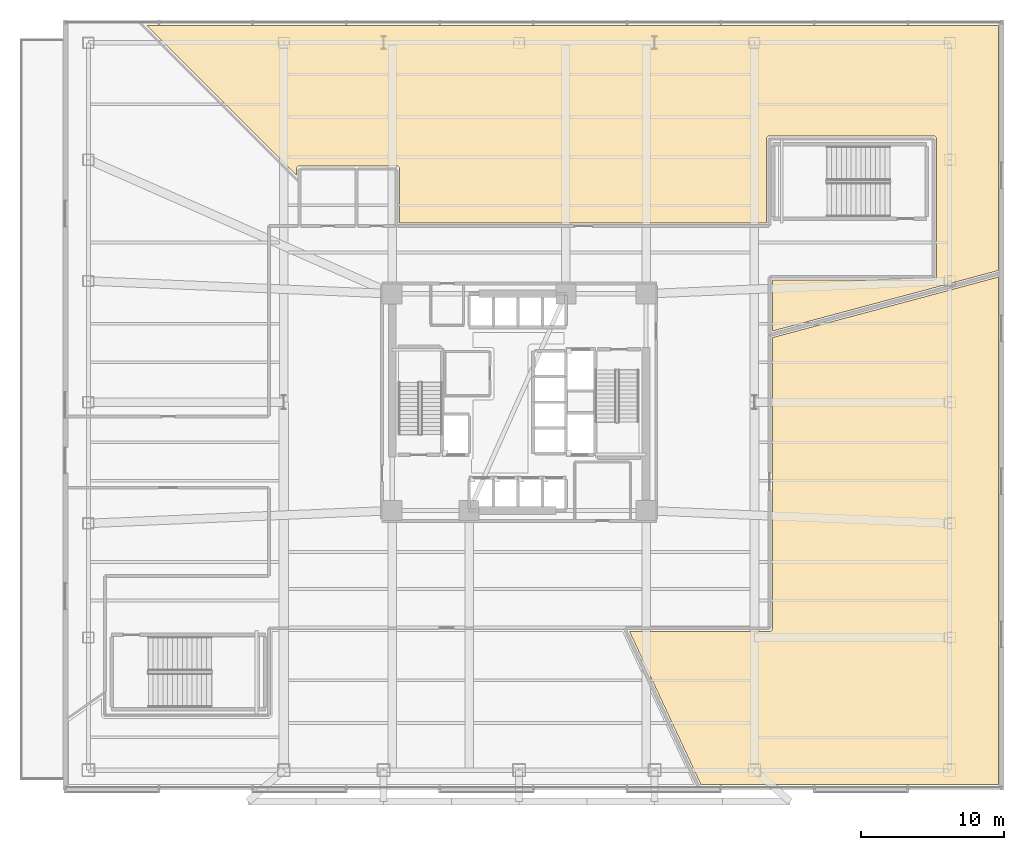
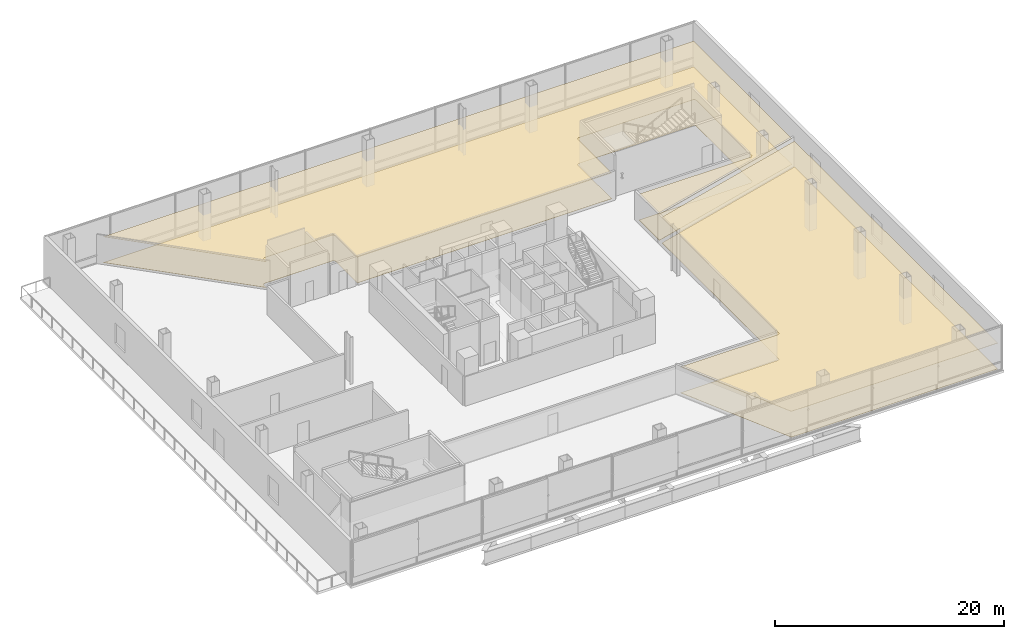
# One storey, part 19 of 20: 4 coverings.
"""IFC4 building model written with IfcOpenShell, lengths in metres."""

from ifc_helpers import new_model, si_unit, direction, frame, origin, place, context, subcontext, project, spatial, polyline, outline, extrude, material, layer, layer_set, type_object, element, save


model = new_model("IFC4")

# Units and contexts
model_context = context("Model", 3, precision=1e-05, world=origin(), true_north=direction((0.0, 1.0)))
body_context = subcontext(model_context, "Body", "Model", "MODEL_VIEW")
ifc_project = project(units=[si_unit("LENGTHUNIT", "METRE"), si_unit("AREAUNIT", "SQUARE_METRE"), si_unit("VOLUMEUNIT", "CUBIC_METRE"), si_unit("PLANEANGLEUNIT", "RADIAN"), si_unit("MASSUNIT", "GRAM", prefix="KILO")], contexts=[model_context])

# Site, building, storey
site_placement = place(None, origin())
site = spatial("IfcSite", under=ifc_project, at=site_placement, CompositionType="ELEMENT")
building_placement = place(site_placement, origin())
building = spatial("IfcBuilding", under=site, at=building_placement, Name="Tharavind Bronze Gate", CompositionType="ELEMENT")
storey_placement = place(building_placement, frame((0.0, 0.0, 16.5)))
storey = spatial("IfcBuildingStorey", under=building, at=storey_placement, Name="L03", CompositionType="ELEMENT", Elevation=16.5)

# Coverings
ifc_material_1 = material(Name="Perforated Bronze Acoustic Panel", Category="bronze")
ifc_layer_1 = layer(ifc_material_1, 0.044921875)
ifc_layer_set_1 = layer_set([ifc_layer_1], Name="Perforated Bronze Acoustic Panel")
covering_type_1 = type_object("IfcCoveringType", Name="ACOUSTIC BRONZE BAFFLE CEILING", PredefinedType="CEILING", material=ifc_layer_set_1)
covering_1_placement = place(storey_placement, frame((0.0, 0.0, 2.75)))
element("IfcCovering", 1, at=covering_1_placement, inside=storey, type_object=covering_type_1, Name="L03-PD-01 suspended ceiling", PredefinedType="CEILING", context=body_context, shape_type="SweptSolid", body=[
    extrude(outline(polyline([(-15.6201171875, 15.93115234375), (-15.6201171875, 16.349365234375), (-15.61962890625, 16.360107421875), (-15.61962890625, 16.36083984375), (-15.61767578125, 16.38232421875), (-15.61328125, 16.4033203125), (-15.607177734375, 16.424072265625), (-15.598876953125, 16.444091796875), (-15.588623046875, 16.463134765625), (-15.57666015625, 16.48095703125), (-15.56298828125, 16.497802734375), (-15.547607421875, 16.512939453125), (-15.531005859375, 16.526611328125), (-15.51318359375, 16.538818359375), (-15.493896484375, 16.548828125), (-15.47412109375, 16.55712890625), (-15.453369140625, 16.5634765625), (-15.432373046875, 16.567626953125), (-15.410888671875, 16.569580078125), (-15.41015625, 16.569580078125), (-15.3994140625, 16.570068359375), (-8.6005859375, 16.570068359375), (-8.58984375, 16.569580078125), (-8.589111328125, 16.569580078125), (-8.567626953125, 16.567626953125), (-8.546630859375, 16.5634765625), (-8.52587890625, 16.55712890625), (-8.506103515625, 16.548828125), (-8.48681640625, 16.538818359375), (-8.468994140625, 16.526611328125), (-8.452392578125, 16.512939453125), (-8.43701171875, 16.497802734375), (-8.42333984375, 16.48095703125), (-8.411376953125, 16.463134765625), (-8.401123046875, 16.444091796875), (-8.392822265625, 16.424072265625), (-8.38671875, 16.4033203125), (-8.38232421875, 16.38232421875), (-8.38037109375, 16.36083984375), (-8.38037109375, 16.360107421875), (-8.3798828125, 16.349365234375), (-8.3798828125, 12.570068359375), (17.330078125, 12.570068359375), (17.330078125, 18.449462890625), (17.330322265625, 18.460205078125), (17.330322265625, 18.460693359375), (17.33251953125, 18.482421875), (17.336669921875, 18.50341796875), (17.343017578125, 18.524169921875), (17.351318359375, 18.5439453125), (17.361328125, 18.56298828125), (17.373291015625, 18.5810546875), (17.386962890625, 18.59765625), (17.40234375, 18.613037109375), (17.4189453125, 18.626708984375), (17.43701171875, 18.638671875), (17.4560546875, 18.648681640625), (17.475830078125, 18.656982421875), (17.49658203125, 18.663330078125), (17.517578125, 18.66748046875), (17.539306640625, 18.669677734375), (17.539794921875, 18.669677734375), (17.550537109375, 18.669921875), (29.04931640625, 18.669921875), (29.060302734375, 18.669677734375), (29.060791015625, 18.669677734375), (29.082275390625, 18.66748046875), (29.103515625, 18.663330078125), (29.1240234375, 18.656982421875), (29.14404296875, 18.648681640625), (29.1630859375, 18.638671875), (29.180908203125, 18.626708984375), (29.19775390625, 18.613037109375), (29.212890625, 18.59765625), (29.226806640625, 18.5810546875), (29.23876953125, 18.56298828125), (29.248779296875, 18.5439453125), (29.257080078125, 18.524169921875), (29.263427734375, 18.50341796875), (29.267578125, 18.482421875), (29.269775390625, 18.460693359375), (29.269775390625, 18.460205078125), (29.27001953125, 18.449462890625), (29.27001953125, 8.800537109375), (29.269775390625, 8.789794921875), (29.269775390625, 8.789306640625), (29.267578125, 8.767578125), (29.263427734375, 8.74658203125), (29.257080078125, 8.725830078125), (29.248779296875, 8.7060546875), (29.23876953125, 8.68701171875), (29.226806640625, 8.6689453125), (29.212890625, 8.65234375), (29.19775390625, 8.636962890625), (29.180908203125, 8.623291015625), (29.1630859375, 8.611328125), (29.14404296875, 8.601318359375), (29.1240234375, 8.593017578125), (29.103515625, 8.586669921875), (29.082275390625, 8.58251953125), (29.060791015625, 8.580322265625), (29.060302734375, 8.580322265625), (29.04931640625, 8.580078125), (17.77001953125, 8.580078125), (17.77001953125, 4.9892578125), (33.60009765625, 9.23095703125), (33.60009765625, 26.39990234375), (-26.0888671875, 26.39990234375), (-15.6201171875, 15.93115234375)])), origin(), (0.0, 0.0, 1.0), 0.034912109375),
])
covering_2_placement = place(storey_placement, frame((0.0, 0.0, 2.75)))
element("IfcCovering", 2, at=covering_2_placement, inside=storey, type_object=covering_type_1, Name="L03-PD-05 suspended ceiling", PredefinedType="CEILING", context=body_context, shape_type="SweptSolid", body=[
    extrude(outline(polyline([(12.73974609375, -26.800048828125), (33.60009765625, -26.800048828125), (33.60009765625, 8.775390625), (17.77001953125, 4.53369140625), (17.77001953125, -15.849365234375), (17.769775390625, -15.860107421875), (17.769775390625, -15.86083984375), (17.767578125, -15.88232421875), (17.763427734375, -15.9033203125), (17.757080078125, -15.924072265625), (17.748779296875, -15.944091796875), (17.73876953125, -15.963134765625), (17.726806640625, -15.98095703125), (17.712890625, -15.997802734375), (17.69775390625, -16.012939453125), (17.680908203125, -16.026611328125), (17.6630859375, -16.038818359375), (17.64404296875, -16.048828125), (17.6240234375, -16.05712890625), (17.603515625, -16.0634765625), (17.582275390625, -16.067626953125), (17.560791015625, -16.069580078125), (17.560302734375, -16.069580078125), (17.54931640625, -16.070068359375), (7.736328125, -16.070068359375), (12.73974609375, -26.800048828125)])), origin(), (0.0, 0.0, 1.0), 0.034912109375),
])
ifc_material_2 = material(Name="Honed Travertine Limestone", Category="masonry")
ifc_layer_2 = layer(ifc_material_2, 0.030029296875)
ifc_layer_set_2 = layer_set([ifc_layer_2], Name="Honed Travertine Limestone")
covering_type_2 = type_object("IfcCoveringType", Name="HONED LIMESTONE FLOORING", PredefinedType="FLOORING", material=ifc_layer_set_2)
covering_3_placement = place(storey_placement, origin())
element("IfcCovering", 3, at=covering_3_placement, inside=storey, type_object=covering_type_2, Name="L03-PD-01 floor finish", PredefinedType="FLOORING", context=body_context, shape_type="SweptSolid", body=[
    extrude(outline(polyline([(-15.6201171875, 15.93115234375), (-15.6201171875, 16.349365234375), (-15.61962890625, 16.360107421875), (-15.61962890625, 16.36083984375), (-15.61767578125, 16.38232421875), (-15.61328125, 16.4033203125), (-15.607177734375, 16.424072265625), (-15.598876953125, 16.444091796875), (-15.588623046875, 16.463134765625), (-15.57666015625, 16.48095703125), (-15.56298828125, 16.497802734375), (-15.547607421875, 16.512939453125), (-15.531005859375, 16.526611328125), (-15.51318359375, 16.538818359375), (-15.493896484375, 16.548828125), (-15.47412109375, 16.55712890625), (-15.453369140625, 16.5634765625), (-15.432373046875, 16.567626953125), (-15.410888671875, 16.569580078125), (-15.41015625, 16.569580078125), (-15.3994140625, 16.570068359375), (-8.6005859375, 16.570068359375), (-8.58984375, 16.569580078125), (-8.589111328125, 16.569580078125), (-8.567626953125, 16.567626953125), (-8.546630859375, 16.5634765625), (-8.52587890625, 16.55712890625), (-8.506103515625, 16.548828125), (-8.48681640625, 16.538818359375), (-8.468994140625, 16.526611328125), (-8.452392578125, 16.512939453125), (-8.43701171875, 16.497802734375), (-8.42333984375, 16.48095703125), (-8.411376953125, 16.463134765625), (-8.401123046875, 16.444091796875), (-8.392822265625, 16.424072265625), (-8.38671875, 16.4033203125), (-8.38232421875, 16.38232421875), (-8.38037109375, 16.36083984375), (-8.38037109375, 16.360107421875), (-8.3798828125, 16.349365234375), (-8.3798828125, 12.570068359375), (17.330078125, 12.570068359375), (17.330078125, 18.449462890625), (17.330322265625, 18.460205078125), (17.330322265625, 18.460693359375), (17.33251953125, 18.482421875), (17.336669921875, 18.50341796875), (17.343017578125, 18.524169921875), (17.351318359375, 18.5439453125), (17.361328125, 18.56298828125), (17.373291015625, 18.5810546875), (17.386962890625, 18.59765625), (17.40234375, 18.613037109375), (17.4189453125, 18.626708984375), (17.43701171875, 18.638671875), (17.4560546875, 18.648681640625), (17.475830078125, 18.656982421875), (17.49658203125, 18.663330078125), (17.517578125, 18.66748046875), (17.539306640625, 18.669677734375), (17.539794921875, 18.669677734375), (17.550537109375, 18.669921875), (29.04931640625, 18.669921875), (29.060302734375, 18.669677734375), (29.060791015625, 18.669677734375), (29.082275390625, 18.66748046875), (29.103515625, 18.663330078125), (29.1240234375, 18.656982421875), (29.14404296875, 18.648681640625), (29.1630859375, 18.638671875), (29.180908203125, 18.626708984375), (29.19775390625, 18.613037109375), (29.212890625, 18.59765625), (29.226806640625, 18.5810546875), (29.23876953125, 18.56298828125), (29.248779296875, 18.5439453125), (29.257080078125, 18.524169921875), (29.263427734375, 18.50341796875), (29.267578125, 18.482421875), (29.269775390625, 18.460693359375), (29.269775390625, 18.460205078125), (29.27001953125, 18.449462890625), (29.27001953125, 8.800537109375), (29.269775390625, 8.789794921875), (29.269775390625, 8.789306640625), (29.267578125, 8.767578125), (29.263427734375, 8.74658203125), (29.257080078125, 8.725830078125), (29.248779296875, 8.7060546875), (29.23876953125, 8.68701171875), (29.226806640625, 8.6689453125), (29.212890625, 8.65234375), (29.19775390625, 8.636962890625), (29.180908203125, 8.623291015625), (29.1630859375, 8.611328125), (29.14404296875, 8.601318359375), (29.1240234375, 8.593017578125), (29.103515625, 8.586669921875), (29.082275390625, 8.58251953125), (29.060791015625, 8.580322265625), (29.060302734375, 8.580322265625), (29.04931640625, 8.580078125), (17.77001953125, 8.580078125), (17.77001953125, 4.9892578125), (33.60009765625, 9.23095703125), (33.60009765625, 26.39990234375), (-26.0888671875, 26.39990234375), (-15.6201171875, 15.93115234375)])), origin(), (0.0, 0.0, 1.0), 0.02490234375),
])
covering_4_placement = place(storey_placement, origin())
element("IfcCovering", 4, at=covering_4_placement, inside=storey, type_object=covering_type_2, Name="L03-PD-05 floor finish", PredefinedType="FLOORING", context=body_context, shape_type="SweptSolid", body=[
    extrude(outline(polyline([(12.73974609375, -26.800048828125), (33.60009765625, -26.800048828125), (33.60009765625, 8.775390625), (17.77001953125, 4.53369140625), (17.77001953125, -15.849365234375), (17.769775390625, -15.860107421875), (17.769775390625, -15.86083984375), (17.767578125, -15.88232421875), (17.763427734375, -15.9033203125), (17.757080078125, -15.924072265625), (17.748779296875, -15.944091796875), (17.73876953125, -15.963134765625), (17.726806640625, -15.98095703125), (17.712890625, -15.997802734375), (17.69775390625, -16.012939453125), (17.680908203125, -16.026611328125), (17.6630859375, -16.038818359375), (17.64404296875, -16.048828125), (17.6240234375, -16.05712890625), (17.603515625, -16.0634765625), (17.582275390625, -16.067626953125), (17.560791015625, -16.069580078125), (17.560302734375, -16.069580078125), (17.54931640625, -16.070068359375), (7.736328125, -16.070068359375), (12.73974609375, -26.800048828125)])), origin(), (0.0, 0.0, 1.0), 0.02490234375),
])

save(model, "model.ifc")
